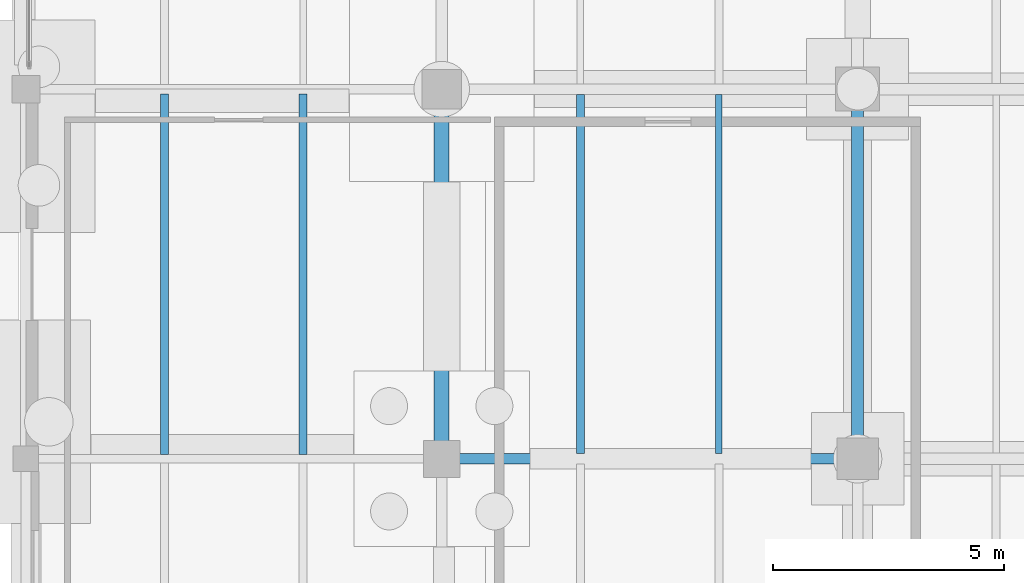
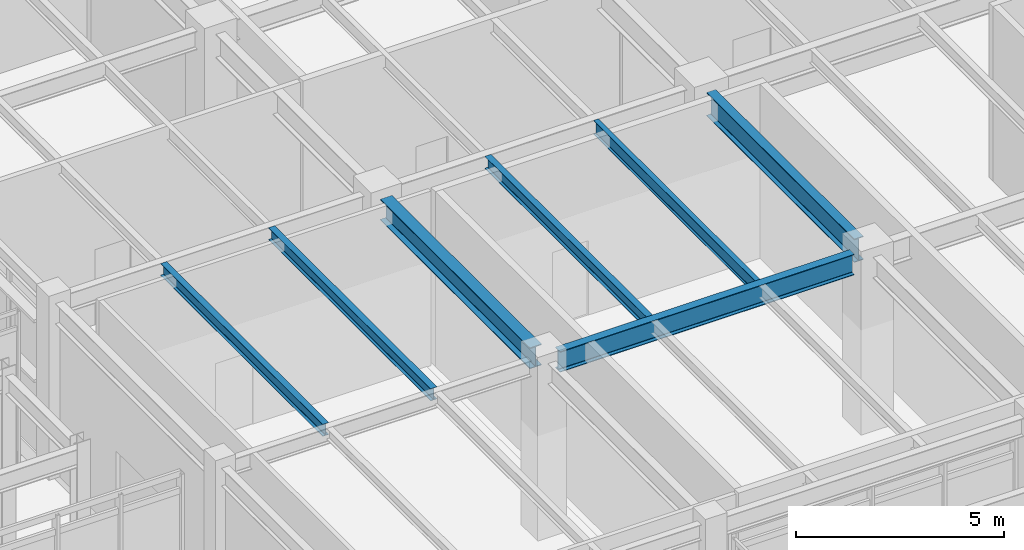
# One storey, part 98 of 203: 7 beams.
"""IFC4 building model written with IfcOpenShell, lengths in metres."""

from ifc_helpers import new_model, si_unit, direction, frame, origin, origin_2d, place, context, subcontext, project, spatial, i_section, extrude, material, material_profile, profile_set, type_object, element, save


model = new_model("IFC4")

# Units and contexts
model_context = context("Model", 3, precision=1e-05, world=origin(), true_north=direction((0.0, 1.0)))
body_context = subcontext(model_context, "Body", "Model", "MODEL_VIEW")
ifc_project = project(units=[si_unit("LENGTHUNIT", "METRE"), si_unit("AREAUNIT", "SQUARE_METRE"), si_unit("VOLUMEUNIT", "CUBIC_METRE"), si_unit("PLANEANGLEUNIT", "RADIAN"), si_unit("MASSUNIT", "GRAM", prefix="KILO"), si_unit("THERMODYNAMICTEMPERATUREUNIT", "KELVIN"), si_unit("POWERUNIT", "WATT")], contexts=[model_context])

# Site, building, storey
site_placement = place(None, origin())
site = spatial("IfcSite", under=ifc_project, at=site_placement, CompositionType="ELEMENT")
building_placement = place(site_placement, origin())
building = spatial("IfcBuilding", under=site, at=building_placement, Name="Tepalcoro Natatorium and Aquatics Centre", CompositionType="ELEMENT")
storey_placement = place(building_placement, origin())
storey = spatial("IfcBuildingStorey", under=building, at=storey_placement, Name="L00", CompositionType="ELEMENT", Elevation=0.0)

# Beams
ifc_material = material(Name="Steel ASTM A992 Grade 50 (Fy 345 MPa)", Category="steel")
ifc_material_profile_1 = material_profile(ifc_material, i_section(OverallWidth=0.324951171875, OverallDepth=0.616943359375, WebThickness=0.013916015625, FlangeThickness=0.02197265625, FilletRadius=0.013916015625, at=origin_2d()), Name="W24X117")
ifc_profile_set_1 = profile_set([ifc_material_profile_1], Name="Steel ASTM A992 Grade 50 (Fy 345 MPa)")
beam_type_1 = type_object("IfcBeamType", Name="BM_W24x117", PredefinedType="BEAM", material=ifc_profile_set_1)
beam_1_placement = place(storey_placement, frame((107.0, 94.385009765625, 4.81640625), z_axis=(0.0, 1.0, 0.0), x_axis=(-1.0, 0.0, 0.0)))
element("IfcBeam", 1, at=beam_1_placement, inside=storey, type_object=beam_type_1, Name="V5 L00 Grid Girder Y", PredefinedType="BEAM", context=body_context, shape_type="SweptSolid", body=[
    extrude(i_section(OverallWidth=0.324951171875, OverallDepth=0.616943359375, WebThickness=0.013916015625, FlangeThickness=0.02197265625, FilletRadius=0.013916015625, at=origin_2d()), origin(), (0.0, 0.0, 1.0), 7.205078125),
])
ifc_material_profile_2 = material_profile(ifc_material, i_section(OverallWidth=0.22802734375, OverallDepth=0.60693359375, WebThickness=0.010986328125, FlangeThickness=0.01708984375, FilletRadius=0.013916015625, at=origin_2d()), Name="W24X76")
ifc_profile_set_2 = profile_set([ifc_material_profile_2], Name="Steel ASTM A992 Grade 50 (Fy 345 MPa)")
beam_type_2 = type_object("IfcBeamType", Name="BM_W24x76", PredefinedType="BEAM", material=ifc_profile_set_2)
beam_2_placement = place(storey_placement, frame((107.385009765625, 94.0, 4.821533203125), z_axis=(1.0, 0.0, 0.0), x_axis=(0.0, 1.0, 0.0)))
element("IfcBeam", 2, at=beam_2_placement, inside=storey, type_object=beam_type_2, Name="V5 L00 Grid Girder X", PredefinedType="BEAM", context=body_context, shape_type="SweptSolid", body=[
    extrude(i_section(OverallWidth=0.22802734375, OverallDepth=0.60693359375, WebThickness=0.010986328125, FlangeThickness=0.01708984375, FilletRadius=0.013916015625, at=origin_2d()), origin(), (0.0, 0.0, 1.0), 8.179931640625),
])
ifc_material_profile_3 = material_profile(ifc_material, i_section(OverallWidth=0.25390625, OverallDepth=0.68798828125, WebThickness=0.012939453125, FlangeThickness=0.02099609375, FilletRadius=0.013916015625, at=origin_2d()), Name="W27X102")
ifc_profile_set_3 = profile_set([ifc_material_profile_3], Name="Steel ASTM A992 Grade 50 (Fy 345 MPa)")
beam_type_3 = type_object("IfcBeamType", Name="BM_W27x102", PredefinedType="BEAM", material=ifc_profile_set_3)
beam_3_placement = place(storey_placement, frame((116.0, 94.43505859375, 4.781005859375), z_axis=(0.0, 1.0, 0.0), x_axis=(-1.0, 0.0, 0.0)))
element("IfcBeam", 3, at=beam_3_placement, inside=storey, type_object=beam_type_3, Name="V5 L00 Grid Girder Y", PredefinedType="BEAM", context=body_context, shape_type="SweptSolid", body=[
    extrude(i_section(OverallWidth=0.25390625, OverallDepth=0.68798828125, WebThickness=0.012939453125, FlangeThickness=0.02099609375, FilletRadius=0.013916015625, at=origin_2d()), origin(), (0.0, 0.0, 1.0), 7.10498046875),
])
ifc_material_profile_4 = material_profile(ifc_material, i_section(OverallWidth=0.1708984375, OverallDepth=0.35107421875, WebThickness=0.007080078125, FlangeThickness=0.010009765625, FilletRadius=0.013916015625, at=origin_2d()), Name="W14X30")
ifc_profile_set_4 = profile_set([ifc_material_profile_4], Name="Steel ASTM A992 Grade 50 (Fy 345 MPa)")
beam_type_4 = type_object("IfcBeamType", Name="JS_W14x30", PredefinedType="JOIST", material=ifc_profile_set_4)
beam_4_placement = place(storey_placement, frame((101.0, 94.096435546875, 4.949462890625), z_axis=(0.0, 1.0, 0.0), x_axis=(-1.0, 0.0, 0.0)))
element("IfcBeam", 4, at=beam_4_placement, inside=storey, type_object=beam_type_4, Name="V5 L00 Floor Joist", PredefinedType="JOIST", context=body_context, shape_type="SweptSolid", body=[
    extrude(i_section(OverallWidth=0.1708984375, OverallDepth=0.35107421875, WebThickness=0.007080078125, FlangeThickness=0.010009765625, FilletRadius=0.013916015625, at=origin_2d()), origin(), (0.0, 0.0, 1.0), 7.798583984375),
])
ifc_material_profile_5 = material_profile(ifc_material, i_section(OverallWidth=0.172119140625, OverallDepth=0.35791015625, WebThickness=0.008056640625, FlangeThickness=0.012939453125, FilletRadius=0.013916015625, at=origin_2d()), Name="W14X38")
ifc_profile_set_5 = profile_set([ifc_material_profile_5], Name="Steel ASTM A992 Grade 50 (Fy 345 MPa)")
beam_type_5 = type_object("IfcBeamType", Name="JS_W14x38", PredefinedType="JOIST", material=ifc_profile_set_5)
beam_5_placement = place(storey_placement, frame((104.0, 94.096435546875, 4.946044921875), z_axis=(0.0, 1.0, 0.0), x_axis=(-1.0, 0.0, 0.0)))
element("IfcBeam", 5, at=beam_5_placement, inside=storey, type_object=beam_type_5, Name="V5 L00 Floor Joist", PredefinedType="JOIST", context=body_context, shape_type="SweptSolid", body=[
    extrude(i_section(OverallWidth=0.172119140625, OverallDepth=0.35791015625, WebThickness=0.008056640625, FlangeThickness=0.012939453125, FilletRadius=0.013916015625, at=origin_2d()), origin(), (0.0, 0.0, 1.0), 7.798583984375),
])
beam_6_placement = place(storey_placement, frame((110.0, 94.114013671875, 4.946044921875), z_axis=(0.0, 1.0, 0.0), x_axis=(-1.0, 0.0, 0.0)))
element("IfcBeam", 6, at=beam_6_placement, inside=storey, type_object=beam_type_5, Name="V5 L00 Floor Joist", PredefinedType="JOIST", context=body_context, shape_type="SweptSolid", body=[
    extrude(i_section(OverallWidth=0.172119140625, OverallDepth=0.35791015625, WebThickness=0.008056640625, FlangeThickness=0.012939453125, FilletRadius=0.013916015625, at=origin_2d()), origin(), (0.0, 0.0, 1.0), 7.77099609375),
])
ifc_material_profile_6 = material_profile(ifc_material, i_section(OverallWidth=0.139892578125, OverallDepth=0.404052734375, WebThickness=0.007080078125, FlangeThickness=0.010986328125, FilletRadius=0.013916015625, at=origin_2d()), Name="W16X31")
ifc_profile_set_6 = profile_set([ifc_material_profile_6], Name="Steel ASTM A992 Grade 50 (Fy 345 MPa)")
beam_type_6 = type_object("IfcBeamType", Name="JS_W16x31", PredefinedType="JOIST", material=ifc_profile_set_6)
beam_7_placement = place(storey_placement, frame((113.0, 94.114013671875, 4.923095703125), z_axis=(0.0, 1.0, 0.0), x_axis=(-1.0, 0.0, 0.0)))
element("IfcBeam", 7, at=beam_7_placement, inside=storey, type_object=beam_type_6, Name="V5 L00 Floor Joist", PredefinedType="JOIST", context=body_context, shape_type="SweptSolid", body=[
    extrude(i_section(OverallWidth=0.139892578125, OverallDepth=0.404052734375, WebThickness=0.007080078125, FlangeThickness=0.010986328125, FilletRadius=0.013916015625, at=origin_2d()), origin(), (0.0, 0.0, 1.0), 7.77099609375),
])

save(model, "model.ifc")
